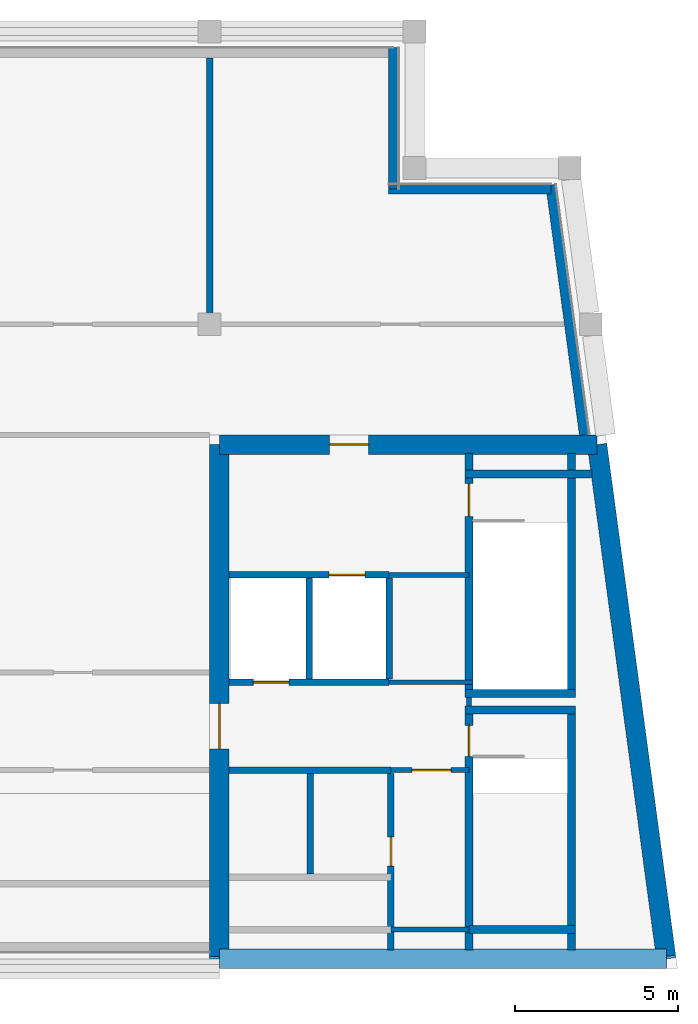
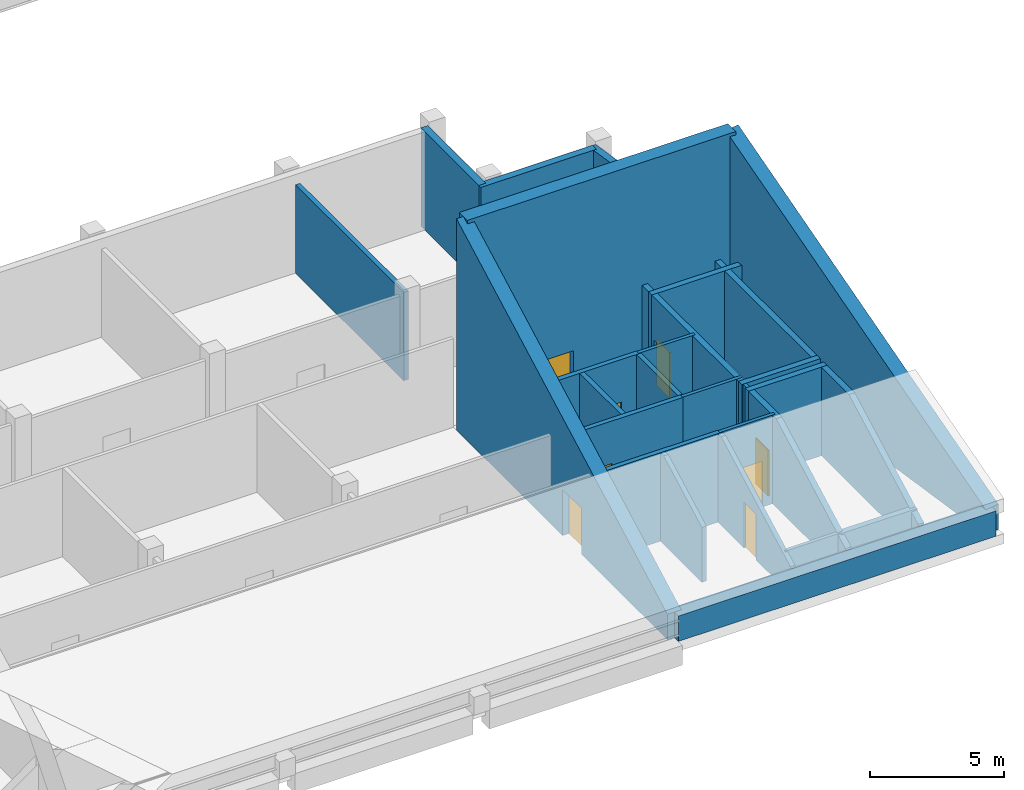
# One storey, part 3 of 4: 28 walls, 8 doors, 8 openings.
"""IFC4 building model written with IfcOpenShell, lengths in metres."""

from ifc_helpers import new_model, si_unit, direction, frame, frame_2d, origin, place, context, subcontext, project, spatial, polyline, rectangle, outline, extrude, material, layer, layer_set, type_object, element, fill, save


model = new_model("IFC4")

# Units and contexts
model_context = context("Model", 3, precision=1e-05, world=origin(), true_north=direction((0.0, 1.0)))
body_context = subcontext(model_context, "Body", "Model", "MODEL_VIEW")
ifc_project = project(units=[si_unit("LENGTHUNIT", "METRE"), si_unit("AREAUNIT", "SQUARE_METRE"), si_unit("VOLUMEUNIT", "CUBIC_METRE"), si_unit("PLANEANGLEUNIT", "RADIAN"), si_unit("MASSUNIT", "GRAM", prefix="KILO")], contexts=[model_context])

# Site, building, storey
site_placement = place(None, origin())
site = spatial("IfcSite", under=ifc_project, at=site_placement, CompositionType="ELEMENT")
building_placement = place(site_placement, origin())
building = spatial("IfcBuilding", under=site, at=building_placement, Name="Candeia Pilgrim Tower and Theatre", CompositionType="ELEMENT")
storey_placement = place(building_placement, frame((0.0, 0.0, 319.89990234375)))
storey = spatial("IfcBuildingStorey", under=building, at=storey_placement, Name="L77", CompositionType="ELEMENT", Elevation=319.89990234375)

# Wall, opening, door
ifc_material_1 = material(Name="Concrete C40/50", Category="concrete")
ifc_layer_1 = layer(ifc_material_1, 0.60009765625)
ifc_layer_set_1 = layer_set([ifc_layer_1], Name="Core wall 600 C40/50")
wall_type_1 = type_object("IfcWallType", Name="Core wall 600 C40/50", PredefinedType="SHEAR", material=ifc_layer_set_1)
wall_1_placement = place(storey_placement, frame((126.300048828125, 132.10009765625, 0.0), z_axis=(0.0, 0.0, 1.0), x_axis=(1.0, 0.0, 0.0)))
wall_1 = element("IfcWall", 1, at=wall_1_placement, inside=storey, type_object=wall_type_1, Name="Core wall E1", PredefinedType="SHEAR", context=body_context, shape_type="SweptSolid", body=[
    extrude(outline(polyline([(0.0, 0.0), (11.60693359375, 0.0), (11.60693359375, 9.6650390625), (0.0, 9.6650390625), (0.0, 0.0)])), frame((0.0, 0.300048828125, 0.0), z_axis=(0.0, -1.0, 0.0), x_axis=(1.0, 0.0, 0.0)), (0.0, 0.0, 1.0), 0.60009765625),
])
opening_1_placement = place(wall_1_placement, frame((3.386474609375, 0.0, 0.0)))
opening_1 = element("IfcOpeningElement", 2, at=opening_1_placement, cuts=wall_1, Name="Opening L77-D022", PredefinedType="OPENING", context=body_context, shape_type="SweptSolid", body=[
    extrude(rectangle(XDim=1.199951171875, YDim=2.10009765625, at=frame_2d((0.60009765625, 1.050048828125))), frame((0.0, 0.31005859375, 0.0), z_axis=(0.0, -1.0, 0.0), x_axis=(1.0, 0.0, 0.0)), (0.0, 0.0, 1.0), 0.6201171875),
])
ifc_material_2 = material(Name="Steel fire door set", Category="steel")
door_type_1 = type_object("IfcDoorType", Name="D-1200-FD60", OperationType="NOTDEFINED", PredefinedType="DOOR", material=ifc_material_2)
door_1_placement = place(opening_1_placement, origin())
door_1 = element("IfcDoor", 3, at=door_1_placement, inside=storey, type_object=door_type_1, Name="Door L77-D022", OperationType="SINGLE_SWING_LEFT", OverallHeight=2.10009765625, OverallWidth=1.199951171875, PredefinedType="DOOR", context=body_context, shape_type="SweptSolid", body=[
    extrude(rectangle(XDim=1.199951171875, YDim=2.10009765625, at=frame_2d((0.60009765625, 1.050048828125))), frame((0.0, 0.02490234375, 0.0), z_axis=(0.0, -1.0, 0.0), x_axis=(1.0, 0.0, 0.0)), (0.0, 0.0, 1.0), 0.050048828125),
])
fill(opening_1, door_1)

# Walls
wall_2_placement = place(storey_placement, frame((137.906982421875, 132.10009765625, 0.0), z_axis=(0.0, 0.0, 1.0), x_axis=(0.13341345841, -0.991060466932, 0.0)))
element("IfcWall", 4, at=wall_2_placement, inside=storey, type_object=wall_type_1, Name="Core wall E2", PredefinedType="SHEAR", context=body_context, shape_type="SweptSolid", body=[
    extrude(outline(polyline([(0.0, 0.0), (15.942626953125, 0.0), (15.942626953125, 1.16162109375), (9.683349609375, 4.5), (0.0, 9.6650390625), (0.0, 0.0)])), frame((0.0, 0.300048828125, 0.0), z_axis=(0.0, -1.0, 0.0), x_axis=(1.0, 0.0, 0.0)), (0.0, 0.0, 1.0), 0.60009765625),
])
wall_3_placement = place(storey_placement, frame((140.033935546875, 116.300048828125, 0.0), z_axis=(0.0, 0.0, 1.0), x_axis=(-1.0, 0.0, 0.0)))
element("IfcWall", 5, at=wall_3_placement, inside=storey, type_object=wall_type_1, Name="Core wall E3", PredefinedType="SHEAR", context=body_context, shape_type="SweptSolid", body=[
    extrude(outline(polyline([(0.0, 0.0), (13.73388671875, 0.0), (13.73388671875, 1.16162109375), (0.0, 1.16162109375), (0.0, 0.0)])), frame((0.0, 0.300048828125, 0.0), z_axis=(0.0, -1.0, 0.0), x_axis=(1.0, 0.0, 0.0)), (0.0, 0.0, 1.0), 0.60009765625),
])

# Wall, opening, door
wall_4_placement = place(storey_placement, frame((126.300048828125, 116.300048828125, 0.0), z_axis=(0.0, 0.0, 1.0), x_axis=(0.0, 1.0, 0.0)))
wall_4 = element("IfcWall", 6, at=wall_4_placement, inside=storey, type_object=wall_type_1, Name="Core wall E4", PredefinedType="SHEAR", context=body_context, shape_type="SweptSolid", body=[
    extrude(outline(polyline([(0.0, 0.0), (15.800048828125, 0.0), (15.800048828125, 9.6650390625), (6.203125, 4.5), (0.0, 1.16162109375), (0.0, 0.0)])), frame((0.0, 0.300048828125, 0.0), z_axis=(0.0, -1.0, 0.0), x_axis=(1.0, 0.0, 0.0)), (0.0, 0.0, 1.0), 0.60009765625),
])
opening_2_placement = place(wall_4_placement, frame((6.449951171875, 0.0, 0.0)))
opening_2 = element("IfcOpeningElement", 7, at=opening_2_placement, cuts=wall_4, Name="Opening L77-D023", PredefinedType="OPENING", context=body_context, shape_type="SweptSolid", body=[
    extrude(rectangle(XDim=1.39990234375, YDim=2.10009765625, at=frame_2d((0.699951171875, 1.050048828125))), frame((0.0, 0.31005859375, 0.0), z_axis=(0.0, -1.0, 0.0), x_axis=(1.0, 0.0, 0.0)), (0.0, 0.0, 1.0), 0.6201171875),
])
door_type_2 = type_object("IfcDoorType", Name="D-1400-FD60", OperationType="NOTDEFINED", PredefinedType="DOOR", material=ifc_material_2)
door_2_placement = place(opening_2_placement, origin())
door_2 = element("IfcDoor", 8, at=door_2_placement, inside=storey, type_object=door_type_2, Name="Door L77-D023", OperationType="SINGLE_SWING_RIGHT", OverallHeight=2.10009765625, OverallWidth=1.39990234375, PredefinedType="DOOR", context=body_context, shape_type="SweptSolid", body=[
    extrude(rectangle(XDim=1.39990234375, YDim=2.10009765625, at=frame_2d((0.699951171875, 1.050048828125))), frame((0.0, 0.02490234375, 0.0), z_axis=(0.0, -1.0, 0.0), x_axis=(1.0, 0.0, 0.0)), (0.0, 0.0, 1.0), 0.050048828125),
])
fill(opening_2, door_2)

# Walls
ifc_material_3 = material(Name="Ceramic block masonry", Category="masonry")
ifc_layer_2 = layer(ifc_material_3, 0.300048828125)
ifc_layer_set_2 = layer_set([ifc_layer_2], Name="EW1 glazing-line wall 300")
wall_type_2 = type_object("IfcWallType", Name="EW1 glazing-line wall 300", PredefinedType="SOLIDWALL", material=ifc_layer_set_2)
wall_5_placement = place(storey_placement, frame((137.513427734375, 132.39990234375, 0.0), z_axis=(0.0, 0.0, 1.0), x_axis=(-0.133420343073, 0.991059540116, 0.0)))
element("IfcWall", 9, at=wall_5_placement, inside=storey, type_object=wall_type_2, Name="External wall L77-2.0", PredefinedType="SOLIDWALL", context=body_context, shape_type="SweptSolid", body=[
    extrude(rectangle(XDim=7.74951171875, YDim=0.300048828125, at=frame_2d((3.874755859375, 0.0))), origin(), (0.0, 0.0, 1.0), 4.5),
])
wall_6_placement = place(storey_placement, frame((136.4970703125, 139.949951171875, 0.0), z_axis=(0.0, 0.0, 1.0), x_axis=(-1.0, 0.0, 0.0)))
element("IfcWall", 10, at=wall_6_placement, inside=storey, type_object=wall_type_2, Name="External wall L77-3.0", PredefinedType="SOLIDWALL", context=body_context, shape_type="SweptSolid", body=[
    extrude(rectangle(XDim=4.9970703125, YDim=0.300048828125, at=frame_2d((2.49853515625, 0.0))), origin(), (0.0, 0.0, 1.0), 4.5),
])
wall_7_placement = place(storey_placement, frame((131.64990234375, 139.949951171875, 0.0), z_axis=(0.0, 0.0, 1.0), x_axis=(0.0, 1.0, 0.0)))
element("IfcWall", 11, at=wall_7_placement, inside=storey, type_object=wall_type_2, Name="External wall L77-4.0", PredefinedType="SOLIDWALL", context=body_context, shape_type="SweptSolid", body=[
    extrude(rectangle(XDim=4.35009765625, YDim=0.300048828125, at=frame_2d((2.175048828125, 0.0))), origin(), (0.0, 0.0, 1.0), 4.5),
])
ifc_material_4 = material(Name="Gypsum board partition on steel studs", Category="steel")
ifc_layer_3 = layer(ifc_material_4, 0.14990234375)
ifc_layer_set_3 = layer_set([ifc_layer_3], Name="PW-150 lobby wall")
wall_type_3 = type_object("IfcWallType", Name="PW-150 lobby wall", PredefinedType="PARTITIONING", material=ifc_layer_set_3)
wall_8_placement = place(storey_placement, frame((131.572998046875, 117.199951171875, 0.0), z_axis=(0.0, 0.0, 1.0), x_axis=(1.0, 0.0, 0.0)))
element("IfcWall", 12, at=wall_8_placement, inside=storey, type_object=wall_type_3, Name="Lobby wall L77-004", PredefinedType="PARTITIONING", context=body_context, shape_type="SweptSolid", body=[
    extrude(rectangle(XDim=2.39990234375, YDim=0.14990234375, at=frame_2d((1.199951171875, 0.0))), origin(), (0.0, 0.0, 1.0), 1.595947265625),
])

# Wall, opening, door
wall_9_placement = place(storey_placement, frame((131.572998046875, 122.10009765625, 0.0), z_axis=(0.0, 0.0, 1.0), x_axis=(1.0, 0.0, 0.0)))
wall_9 = element("IfcWall", 13, at=wall_9_placement, inside=storey, type_object=wall_type_3, Name="Lobby wall L77-013", PredefinedType="PARTITIONING", context=body_context, shape_type="SweptSolid", body=[
    extrude(rectangle(XDim=2.39990234375, YDim=0.14990234375, at=frame_2d((1.199951171875, 0.0))), origin(), (0.0, 0.0, 1.0), 4.050048828125),
])
opening_3_placement = place(wall_9_placement, frame((0.64990234375, 0.0, 0.0)))
opening_3 = element("IfcOpeningElement", 14, at=opening_3_placement, cuts=wall_9, Name="Opening L77-D016", PredefinedType="OPENING", context=body_context, shape_type="SweptSolid", body=[
    extrude(rectangle(XDim=1.199951171875, YDim=2.10009765625, at=frame_2d((0.60009765625, 1.050048828125))), frame((0.0, 0.0849609375, 0.0), z_axis=(0.0, -1.0, 0.0), x_axis=(1.0, 0.0, 0.0)), (0.0, 0.0, 1.0), 0.169921875),
])
door_3_placement = place(opening_3_placement, origin())
door_3 = element("IfcDoor", 15, at=door_3_placement, inside=storey, type_object=door_type_1, Name="Door L77-D016", OperationType="SINGLE_SWING_LEFT", OverallHeight=2.10009765625, OverallWidth=1.199951171875, PredefinedType="DOOR", context=body_context, shape_type="SweptSolid", body=[
    extrude(rectangle(XDim=1.199951171875, YDim=2.10009765625, at=frame_2d((0.60009765625, 1.050048828125))), frame((0.0, 0.02490234375, 0.0), z_axis=(0.0, -1.0, 0.0), x_axis=(1.0, 0.0, 0.0)), (0.0, 0.0, 1.0), 0.050048828125),
])
fill(opening_3, door_3)

# Walls
wall_10_placement = place(storey_placement, frame((131.515380859375, 124.800048828125, 0.0), z_axis=(0.0, 0.0, 1.0), x_axis=(1.0, 0.0, 0.0)))
element("IfcWall", 16, at=wall_10_placement, inside=storey, type_object=wall_type_3, Name="Lobby wall L77-021", PredefinedType="PARTITIONING", context=body_context, shape_type="SweptSolid", body=[
    extrude(rectangle(XDim=2.58251953125, YDim=0.14990234375, at=frame_2d((1.291259765625, 0.0))), origin(), (0.0, 0.0, 1.0), 4.050048828125),
])
wall_11_placement = place(storey_placement, frame((131.515380859375, 128.10009765625, 0.0), z_axis=(0.0, 0.0, 1.0), x_axis=(1.0, 0.0, 0.0)))
element("IfcWall", 17, at=wall_11_placement, inside=storey, type_object=wall_type_3, Name="Lobby wall L77-025", PredefinedType="PARTITIONING", context=body_context, shape_type="SweptSolid", body=[
    extrude(rectangle(XDim=2.45751953125, YDim=0.14990234375, at=frame_2d((1.228759765625, 0.0))), origin(), (0.0, 0.0, 1.0), 4.050048828125),
])
wall_12_placement = place(storey_placement, frame((133.972900390625, 124.074951171875, 0.0), z_axis=(0.0, 0.0, 1.0), x_axis=(0.0, 1.0, 0.0)))
element("IfcWall", 18, at=wall_12_placement, inside=storey, type_object=wall_type_3, Name="Lobby wall L77-051", PredefinedType="PARTITIONING", context=body_context, shape_type="SweptSolid", body=[
    extrude(rectangle(XDim=0.25, YDim=0.14990234375, at=frame_2d((0.125, 0.0))), origin(), (0.0, 0.0, 1.0), 4.050048828125),
])
ifc_layer_4 = layer(ifc_material_4, 0.199951171875)
ifc_layer_set_4 = layer_set([ifc_layer_4], Name="PW-200 party wall")
wall_type_4 = type_object("IfcWallType", Name="PW-200 party wall", PredefinedType="PARTITIONING", material=ifc_layer_set_4)
wall_13_placement = place(storey_placement, frame((126.0, 135.875, 0.0), z_axis=(0.0, 0.0, 1.0), x_axis=(0.0, 1.0, 0.0)))
element("IfcWall", 19, at=wall_13_placement, inside=storey, type_object=wall_type_4, Name="Party wall L77-046", PredefinedType="PARTITIONING", context=body_context, shape_type="SweptSolid", body=[
    extrude(rectangle(XDim=8.10498046875, YDim=0.199951171875, at=frame_2d((4.052490234375, 0.0))), origin(), (0.0, 0.0, 1.0), 4.050048828125),
])
ifc_layer_5 = layer(ifc_material_1, 0.199951171875)
ifc_layer_set_5 = layer_set([ifc_layer_5], Name="SW-200 shaft wall")
wall_type_5 = type_object("IfcWallType", Name="SW-200 shaft wall", PredefinedType="PARTITIONING", material=ifc_layer_set_5)
wall_14_placement = place(storey_placement, frame((126.60009765625, 122.10009765625, 0.0), z_axis=(0.0, 0.0, 1.0), x_axis=(1.0, 0.0, 0.0)))
element("IfcWall", 20, at=wall_14_placement, inside=storey, type_object=wall_type_5, Name="Shaft wall L77-011", PredefinedType="PARTITIONING", context=body_context, shape_type="SweptSolid", body=[
    extrude(rectangle(XDim=4.972900390625, YDim=0.199951171875, at=frame_2d((2.486328125, 0.0))), origin(), (0.0, 0.0, 1.0), 4.050048828125),
])

# Wall, opening, door
wall_15_placement = place(storey_placement, frame((126.60009765625, 124.800048828125, 0.0), z_axis=(0.0, 0.0, 1.0), x_axis=(1.0, 0.0, 0.0)))
wall_15 = element("IfcWall", 21, at=wall_15_placement, inside=storey, type_object=wall_type_5, Name="Shaft wall L77-020", PredefinedType="PARTITIONING", context=body_context, shape_type="SweptSolid", body=[
    extrude(rectangle(XDim=4.915283203125, YDim=0.199951171875, at=frame_2d((2.45751953125, 0.0))), origin(), (0.0, 0.0, 1.0), 4.050048828125),
])
opening_4_placement = place(wall_15_placement, frame((0.7451171875, 0.0, 0.0)))
opening_4 = element("IfcOpeningElement", 22, at=opening_4_placement, cuts=wall_15, Name="Opening L77-LD04", PredefinedType="OPENING", context=body_context, shape_type="SweptSolid", body=[
    extrude(rectangle(XDim=1.10009765625, YDim=2.10009765625, at=frame_2d((0.550048828125, 1.050048828125))), frame((0.0, 0.10986328125, 0.0), z_axis=(0.0, -1.0, 0.0), x_axis=(1.0, 0.0, 0.0)), (0.0, 0.0, 1.0), 0.219970703125),
])
ifc_material_5 = material(Name="Glazed aluminium landing door", Category="aluminium")
door_type_3 = type_object("IfcDoorType", Name="LD-1100-EI120", OperationType="SLIDING_TO_LEFT", PredefinedType="DOOR", material=ifc_material_5)
door_4_placement = place(opening_4_placement, origin())
door_4 = element("IfcDoor", 23, at=door_4_placement, inside=storey, type_object=door_type_3, Name="Landing door 04 L77", OperationType="SLIDING_TO_LEFT", OverallHeight=2.10009765625, OverallWidth=1.10009765625, PredefinedType="DOOR", context=body_context, shape_type="SweptSolid", body=[
    extrude(rectangle(XDim=1.10009765625, YDim=2.10009765625, at=frame_2d((0.550048828125, 1.050048828125))), frame((0.0, 0.02490234375, 0.0), z_axis=(0.0, -1.0, 0.0), x_axis=(1.0, 0.0, 0.0)), (0.0, 0.0, 1.0), 0.050048828125),
])
fill(opening_4, door_4)

wall_16_placement = place(storey_placement, frame((126.60009765625, 128.10009765625, 0.0), z_axis=(0.0, 0.0, 1.0), x_axis=(1.0, 0.0, 0.0)))
wall_16 = element("IfcWall", 24, at=wall_16_placement, inside=storey, type_object=wall_type_5, Name="Shaft wall L77-024", PredefinedType="PARTITIONING", context=body_context, shape_type="SweptSolid", body=[
    extrude(rectangle(XDim=4.915283203125, YDim=0.199951171875, at=frame_2d((2.45751953125, 0.0))), origin(), (0.0, 0.0, 1.0), 4.050048828125),
])
opening_5_placement = place(wall_16_placement, frame((3.071044921875, 0.0, 0.0)))
opening_5 = element("IfcOpeningElement", 25, at=opening_5_placement, cuts=wall_16, Name="Opening L77-LD03", PredefinedType="OPENING", context=body_context, shape_type="SweptSolid", body=[
    extrude(rectangle(XDim=1.10009765625, YDim=2.10009765625, at=frame_2d((0.550048828125, 1.050048828125))), frame((0.0, 0.10986328125, 0.0), z_axis=(0.0, -1.0, 0.0), x_axis=(1.0, 0.0, 0.0)), (0.0, 0.0, 1.0), 0.219970703125),
])
door_5_placement = place(opening_5_placement, origin())
door_5 = element("IfcDoor", 26, at=door_5_placement, inside=storey, type_object=door_type_3, Name="Landing door 03 L77", OperationType="SLIDING_TO_LEFT", OverallHeight=2.10009765625, OverallWidth=1.10009765625, PredefinedType="DOOR", context=body_context, shape_type="SweptSolid", body=[
    extrude(rectangle(XDim=1.10009765625, YDim=2.10009765625, at=frame_2d((0.550048828125, 1.050048828125))), frame((0.0, 0.02490234375, 0.0), z_axis=(0.0, -1.0, 0.0), x_axis=(1.0, 0.0, 0.0)), (0.0, 0.0, 1.0), 0.050048828125),
])
fill(opening_5, door_5)

# Walls
wall_17_placement = place(storey_placement, frame((129.0576171875, 124.89990234375, 0.0), z_axis=(0.0, 0.0, 1.0), x_axis=(0.0, 1.0, 0.0)))
element("IfcWall", 27, at=wall_17_placement, inside=storey, type_object=wall_type_5, Name="Shaft wall L77-047", PredefinedType="PARTITIONING", context=body_context, shape_type="SweptSolid", body=[
    extrude(rectangle(XDim=3.10009765625, YDim=0.199951171875, at=frame_2d((1.550048828125, 0.0))), origin(), (0.0, 0.0, 1.0), 4.050048828125),
])
wall_18_placement = place(storey_placement, frame((129.08642578125, 118.89990234375, 0.0), z_axis=(0.0, 0.0, 1.0), x_axis=(0.0, 1.0, 0.0)))
element("IfcWall", 28, at=wall_18_placement, inside=storey, type_object=wall_type_5, Name="Shaft wall L77-048", PredefinedType="PARTITIONING", context=body_context, shape_type="SweptSolid", body=[
    extrude(outline(polyline([(0.0, 0.0), (3.10009765625, 0.0), (3.10009765625, 4.050048828125), (2.860107421875, 4.050048828125), (0.0, 2.510986328125), (0.0, 0.0)])), frame((0.0, 0.10009765625, 0.0), z_axis=(0.0, -1.0, 0.0), x_axis=(1.0, 0.0, 0.0)), (0.0, 0.0, 1.0), 0.199951171875),
])
wall_19_placement = place(storey_placement, frame((131.515380859375, 124.89990234375, 0.0), z_axis=(0.0, 0.0, 1.0), x_axis=(0.0, 1.0, 0.0)))
element("IfcWall", 29, at=wall_19_placement, inside=storey, type_object=wall_type_5, Name="Shaft wall L77-049", PredefinedType="PARTITIONING", context=body_context, shape_type="SweptSolid", body=[
    extrude(rectangle(XDim=3.10009765625, YDim=0.199951171875, at=frame_2d((1.550048828125, 0.0))), origin(), (0.0, 0.0, 1.0), 4.050048828125),
])

# Wall, opening, door
wall_20_placement = place(storey_placement, frame((131.572998046875, 116.570068359375, 0.0), z_axis=(0.0, 0.0, 1.0), x_axis=(0.0, 1.0, 0.0)))
wall_20 = element("IfcWall", 30, at=wall_20_placement, inside=storey, type_object=wall_type_5, Name="Shaft wall L77-050", PredefinedType="PARTITIONING", context=body_context, shape_type="SweptSolid", body=[
    extrude(outline(polyline([(0.0, 0.0), (5.429931640625, 0.0), (5.429931640625, 4.050048828125), (5.18994140625, 4.050048828125), (0.0, 1.2568359375), (0.0, 0.0)])), frame((0.0, 0.10009765625, 0.0), z_axis=(0.0, -1.0, 0.0), x_axis=(1.0, 0.0, 0.0)), (0.0, 0.0, 1.0), 0.199951171875),
])
opening_6_placement = place(wall_20_placement, frame((2.580078125, 0.0, 0.0)))
opening_6 = element("IfcOpeningElement", 31, at=opening_6_placement, cuts=wall_20, Name="Opening L77-D019", PredefinedType="OPENING", context=body_context, shape_type="SweptSolid", body=[
    extrude(rectangle(XDim=0.89990234375, YDim=2.10009765625, at=frame_2d((0.449951171875, 1.050048828125))), frame((0.0, 0.10986328125, 0.0), z_axis=(0.0, -1.0, 0.0), x_axis=(1.0, 0.0, 0.0)), (0.0, 0.0, 1.0), 0.219970703125),
])
door_type_4 = type_object("IfcDoorType", Name="D-900-FD60", OperationType="NOTDEFINED", PredefinedType="DOOR", material=ifc_material_2)
door_6_placement = place(opening_6_placement, origin())
door_6 = element("IfcDoor", 32, at=door_6_placement, inside=storey, type_object=door_type_4, Name="Door L77-D019", OperationType="SINGLE_SWING_RIGHT", OverallHeight=2.10009765625, OverallWidth=0.89990234375, PredefinedType="DOOR", context=body_context, shape_type="SweptSolid", body=[
    extrude(rectangle(XDim=0.89990234375, YDim=2.10009765625, at=frame_2d((0.449951171875, 1.050048828125))), frame((0.0, 0.02490234375, 0.0), z_axis=(0.0, -1.0, 0.0), x_axis=(1.0, 0.0, 0.0)), (0.0, 0.0, 1.0), 0.050048828125),
])
fill(opening_6, door_6)

# Walls
ifc_layer_6 = layer(ifc_material_1, 0.25)
ifc_layer_set_6 = layer_set([ifc_layer_6], Name="SW-250 stair wall")
wall_type_6 = type_object("IfcWallType", Name="SW-250 stair wall", PredefinedType="PARTITIONING", material=ifc_layer_set_6)
wall_21_placement = place(storey_placement, frame((133.972900390625, 117.199951171875, 0.0), z_axis=(0.0, 0.0, 1.0), x_axis=(1.0, 0.0, 0.0)))
element("IfcWall", 33, at=wall_21_placement, inside=storey, type_object=wall_type_6, Name="Stair wall L77-006", PredefinedType="PARTITIONING", context=body_context, shape_type="SweptSolid", body=[
    extrude(rectangle(XDim=3.275146484375, YDim=0.25, at=frame_2d((1.6376953125, 0.0))), origin(), (0.0, 0.0, 1.0), 1.595947265625),
])
for number, where, z_axis, x_axis, name in (
    (34, (133.847900390625, 123.949951171875, 0.0), (0.0, 0.0, 1.0), (1.0, 0.0, 0.0), "Stair wall L77-016"),
    (35, (133.847900390625, 124.449951171875, 0.0), (0.0, 0.0, 1.0), (1.0, 0.0, 0.0), "Stair wall L77-018"),
):
    element("IfcWall", number, at=place(storey_placement, frame(where, z_axis=z_axis, x_axis=x_axis)), inside=storey, type_object=wall_type_6, Name=name, PredefinedType="PARTITIONING", context=body_context, shape_type="SweptSolid", body=[
        extrude(rectangle(XDim=3.400146484375, YDim=0.25, at=frame_2d((1.7001953125, 0.0))), origin(), (0.0, 0.0, 1.0), 4.050048828125),
    ])
wall_22_placement = place(storey_placement, frame((133.847900390625, 131.199951171875, 0.0), z_axis=(0.0, 0.0, 1.0), x_axis=(1.0, 0.0, 0.0)))
element("IfcWall", 36, at=wall_22_placement, inside=storey, type_object=wall_type_6, Name="Stair wall L77-027", PredefinedType="PARTITIONING", context=body_context, shape_type="SweptSolid", body=[
    extrude(rectangle(XDim=3.907470703125, YDim=0.25, at=frame_2d((1.95361328125, 0.0))), origin(), (0.0, 0.0, 1.0), 4.050048828125),
])

# Wall, opening, door
wall_23_placement = place(storey_placement, frame((133.972900390625, 116.570068359375, 0.0), z_axis=(0.0, 0.0, 1.0), x_axis=(0.0, 1.0, 0.0)))
wall_23 = element("IfcWall", 37, at=wall_23_placement, inside=storey, type_object=wall_type_6, Name="Stair wall L77-052", PredefinedType="PARTITIONING", context=body_context, shape_type="SweptSolid", body=[
    extrude(outline(polyline([(0.0, 0.0), (7.2548828125, 0.0), (7.2548828125, 4.050048828125), (5.18994140625, 4.050048828125), (0.0, 1.2568359375), (0.0, 0.0)])), frame((0.0, 0.125, 0.0), z_axis=(0.0, -1.0, 0.0), x_axis=(1.0, 0.0, 0.0)), (0.0, 0.0, 1.0), 0.25),
])
opening_7_placement = place(wall_23_placement, frame((5.955078125, 0.0, 0.0)))
opening_7 = element("IfcOpeningElement", 38, at=opening_7_placement, cuts=wall_23, Name="Opening L77-D017", PredefinedType="OPENING", context=body_context, shape_type="SweptSolid", body=[
    extrude(rectangle(XDim=0.949951171875, YDim=2.10009765625, at=frame_2d((0.47509765625, 1.050048828125))), frame((0.0, 0.135009765625, 0.0), z_axis=(0.0, -1.0, 0.0), x_axis=(1.0, 0.0, 0.0)), (0.0, 0.0, 1.0), 0.27001953125),
])
door_type_5 = type_object("IfcDoorType", Name="D-950-FD60", OperationType="NOTDEFINED", PredefinedType="DOOR", material=ifc_material_2)
door_7_placement = place(opening_7_placement, origin())
door_7 = element("IfcDoor", 39, at=door_7_placement, inside=storey, type_object=door_type_5, Name="Door L77-D017", OperationType="SINGLE_SWING_RIGHT", OverallHeight=2.10009765625, OverallWidth=0.949951171875, PredefinedType="DOOR", context=body_context, shape_type="SweptSolid", body=[
    extrude(rectangle(XDim=0.949951171875, YDim=2.10009765625, at=frame_2d((0.47509765625, 1.050048828125))), frame((0.0, 0.02490234375, 0.0), z_axis=(0.0, -1.0, 0.0), x_axis=(1.0, 0.0, 0.0)), (0.0, 0.0, 1.0), 0.050048828125),
])
fill(opening_7, door_7)

wall_24_placement = place(storey_placement, frame((133.972900390625, 124.574951171875, 0.0), z_axis=(0.0, 0.0, 1.0), x_axis=(0.0, 1.0, 0.0)))
wall_24 = element("IfcWall", 40, at=wall_24_placement, inside=storey, type_object=wall_type_6, Name="Stair wall L77-053", PredefinedType="PARTITIONING", context=body_context, shape_type="SweptSolid", body=[
    extrude(rectangle(XDim=7.255126953125, YDim=0.25, at=frame_2d((3.62744140625, 0.0))), origin(), (0.0, 0.0, 1.0), 4.050048828125),
])
opening_8_placement = place(wall_24_placement, frame((5.324951171875, 0.0, 0.0)))
opening_8 = element("IfcOpeningElement", 41, at=opening_8_placement, cuts=wall_24, Name="Opening L77-D018", PredefinedType="OPENING", context=body_context, shape_type="SweptSolid", body=[
    extrude(rectangle(XDim=1.0, YDim=2.10009765625, at=frame_2d((0.5, 1.050048828125))), frame((0.0, 0.135009765625, 0.0), z_axis=(0.0, -1.0, 0.0), x_axis=(1.0, 0.0, 0.0)), (0.0, 0.0, 1.0), 0.27001953125),
])
door_type_6 = type_object("IfcDoorType", Name="D-1000-FD60", OperationType="NOTDEFINED", PredefinedType="DOOR", material=ifc_material_2)
door_8_placement = place(opening_8_placement, origin())
door_8 = element("IfcDoor", 42, at=door_8_placement, inside=storey, type_object=door_type_6, Name="Door L77-D018", OperationType="SINGLE_SWING_LEFT", OverallHeight=2.10009765625, OverallWidth=1.0, PredefinedType="DOOR", context=body_context, shape_type="SweptSolid", body=[
    extrude(rectangle(XDim=1.0, YDim=2.10009765625, at=frame_2d((0.5, 1.050048828125))), frame((0.0, 0.02490234375, 0.0), z_axis=(0.0, -1.0, 0.0), x_axis=(1.0, 0.0, 0.0)), (0.0, 0.0, 1.0), 0.050048828125),
])
fill(opening_8, door_8)

# Walls
wall_25_placement = place(storey_placement, frame((137.123046875, 116.570068359375, 0.0), z_axis=(0.0, 0.0, 1.0), x_axis=(0.0, 1.0, 0.0)))
element("IfcWall", 43, at=wall_25_placement, inside=storey, type_object=wall_type_6, Name="Stair wall L77-054", PredefinedType="PARTITIONING", context=body_context, shape_type="SweptSolid", body=[
    extrude(outline(polyline([(0.0, 0.0), (7.2548828125, 0.0), (7.2548828125, 4.050048828125), (5.18994140625, 4.050048828125), (0.0, 1.2568359375), (0.0, 0.0)])), frame((0.0, 0.125, 0.0), z_axis=(0.0, -1.0, 0.0), x_axis=(1.0, 0.0, 0.0)), (0.0, 0.0, 1.0), 0.25),
])
wall_26_placement = place(storey_placement, frame((137.123046875, 124.574951171875, 0.0), z_axis=(0.0, 0.0, 1.0), x_axis=(0.0, 1.0, 0.0)))
element("IfcWall", 44, at=wall_26_placement, inside=storey, type_object=wall_type_6, Name="Stair wall L77-055", PredefinedType="PARTITIONING", context=body_context, shape_type="SweptSolid", body=[
    extrude(rectangle(XDim=7.255126953125, YDim=0.25, at=frame_2d((3.62744140625, 0.0))), origin(), (0.0, 0.0, 1.0), 4.050048828125),
])

save(model, "model.ifc")
